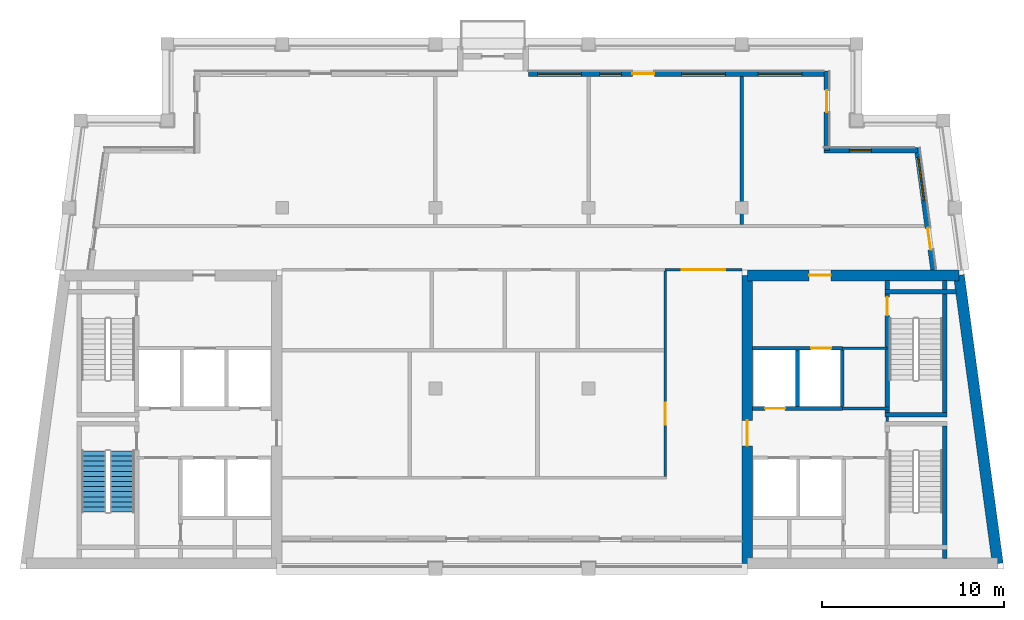
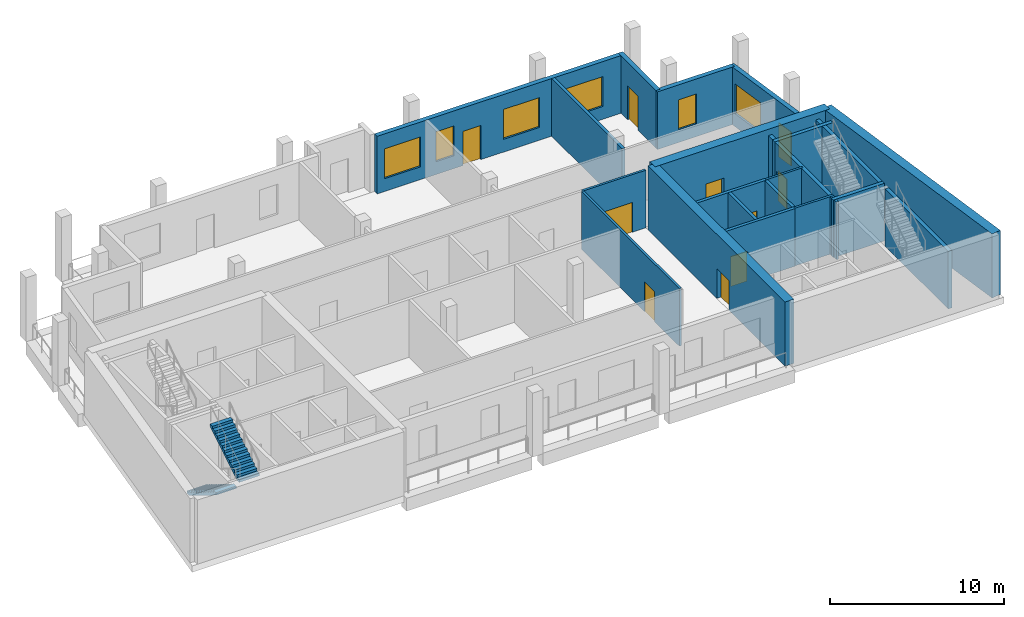
# One storey, part 4 of 8: 22 walls, 10 doors, 6 windows, 2 stair flights, 16 openings, 1 element without a shape of its own.
"""IFC4 building model written with IfcOpenShell, lengths in metres."""

from ifc_helpers import new_model, si_unit, direction, frame, frame_2d, origin, place, context, subcontext, project, spatial, polyline, rectangle, outline, extrude, material, layer, layer_set, type_object, element, fill, aggregate, save


model = new_model("IFC4")

# Units and contexts
model_context = context("Model", 3, precision=1e-05, world=origin(), true_north=direction((0.0, 1.0)))
body_context = subcontext(model_context, "Body", "Model", "MODEL_VIEW")
ifc_project = project(units=[si_unit("LENGTHUNIT", "METRE"), si_unit("AREAUNIT", "SQUARE_METRE"), si_unit("VOLUMEUNIT", "CUBIC_METRE"), si_unit("PLANEANGLEUNIT", "RADIAN"), si_unit("MASSUNIT", "GRAM", prefix="KILO")], contexts=[model_context])

# Site, building, storey
site_placement = place(None, origin())
site = spatial("IfcSite", under=ifc_project, at=site_placement, CompositionType="ELEMENT")
building_placement = place(site_placement, origin())
building = spatial("IfcBuilding", under=site, at=building_placement, Name="Candeia Pilgrim Tower and Theatre", CompositionType="ELEMENT")
storey_placement = place(building_placement, frame((0.0, 0.0, 315.39990234375)))
storey = spatial("IfcBuildingStorey", under=building, at=storey_placement, Name="L76", CompositionType="ELEMENT", Elevation=315.39990234375)

# Wall, opening, door
ifc_material_1 = material(Name="Concrete C40/50", Category="concrete")
ifc_layer_1 = layer(ifc_material_1, 0.60009765625)
ifc_layer_set_1 = layer_set([ifc_layer_1], Name="Core wall 600 C40/50")
wall_type_1 = type_object("IfcWallType", Name="Core wall 600 C40/50", PredefinedType="SHEAR", material=ifc_layer_set_1)
wall_1_placement = place(storey_placement, frame((126.300048828125, 132.10009765625, 0.0), z_axis=(0.0, 0.0, 1.0), x_axis=(1.0, 0.0, 0.0)))
wall_1 = element("IfcWall", 1, at=wall_1_placement, inside=storey, type_object=wall_type_1, Name="Core wall E1", PredefinedType="SHEAR", context=body_context, shape_type="SweptSolid", body=[
    extrude(rectangle(XDim=11.60693359375, YDim=0.60009765625, at=frame_2d((5.803466796875, 0.0))), origin(), (0.0, 0.0, 1.0), 4.5),
])
opening_1_placement = place(wall_1_placement, frame((3.386474609375, 0.0, 0.0)))
opening_1 = element("IfcOpeningElement", 2, at=opening_1_placement, cuts=wall_1, Name="Opening L76-D023", PredefinedType="OPENING", context=body_context, shape_type="SweptSolid", body=[
    extrude(rectangle(XDim=1.199951171875, YDim=2.10009765625, at=frame_2d((0.60009765625, 1.050048828125))), frame((0.0, 0.31005859375, 0.0), z_axis=(0.0, -1.0, 0.0), x_axis=(1.0, 0.0, 0.0)), (0.0, 0.0, 1.0), 0.6201171875),
])
ifc_material_2 = material(Name="Steel fire door set", Category="steel")
door_type_1 = type_object("IfcDoorType", Name="D-1200-FD60", OperationType="NOTDEFINED", PredefinedType="DOOR", material=ifc_material_2)
door_1_placement = place(opening_1_placement, origin())
door_1 = element("IfcDoor", 3, at=door_1_placement, inside=storey, type_object=door_type_1, Name="Door L76-D023", OperationType="SINGLE_SWING_RIGHT", OverallHeight=2.10009765625, OverallWidth=1.199951171875, PredefinedType="DOOR", context=body_context, shape_type="SweptSolid", body=[
    extrude(rectangle(XDim=1.199951171875, YDim=2.10009765625, at=frame_2d((0.60009765625, 1.050048828125))), frame((0.0, 0.02490234375, 0.0), z_axis=(0.0, -1.0, 0.0), x_axis=(1.0, 0.0, 0.0)), (0.0, 0.0, 1.0), 0.050048828125),
])
fill(opening_1, door_1)

# Wall
wall_2_placement = place(storey_placement, frame((137.906982421875, 132.10009765625, 0.0), z_axis=(0.0, 0.0, 1.0), x_axis=(0.13341345841, -0.991060466932, 0.0)))
element("IfcWall", 4, at=wall_2_placement, inside=storey, type_object=wall_type_1, Name="Core wall E2", PredefinedType="SHEAR", context=body_context, shape_type="SweptSolid", body=[
    extrude(rectangle(XDim=15.942626953125, YDim=0.60009765625, at=frame_2d((7.97119140625, 0.0))), origin(), (0.0, 0.0, 1.0), 4.5),
])

# Wall, opening, door
wall_3_placement = place(storey_placement, frame((126.300048828125, 116.300048828125, 0.0), z_axis=(0.0, 0.0, 1.0), x_axis=(0.0, 1.0, 0.0)))
wall_3 = element("IfcWall", 5, at=wall_3_placement, inside=storey, type_object=wall_type_1, Name="Core wall E4", PredefinedType="SHEAR", context=body_context, shape_type="SweptSolid", body=[
    extrude(rectangle(XDim=15.800048828125, YDim=0.60009765625, at=frame_2d((7.89990234375, 0.0))), origin(), (0.0, 0.0, 1.0), 4.5),
])
opening_2_placement = place(wall_3_placement, frame((6.449951171875, 0.0, 0.0)))
opening_2 = element("IfcOpeningElement", 6, at=opening_2_placement, cuts=wall_3, Name="Opening L76-D024", PredefinedType="OPENING", context=body_context, shape_type="SweptSolid", body=[
    extrude(rectangle(XDim=1.39990234375, YDim=2.10009765625, at=frame_2d((0.699951171875, 1.050048828125))), frame((0.0, 0.31005859375, 0.0), z_axis=(0.0, -1.0, 0.0), x_axis=(1.0, 0.0, 0.0)), (0.0, 0.0, 1.0), 0.6201171875),
])
door_type_2 = type_object("IfcDoorType", Name="D-1400-FD60", OperationType="NOTDEFINED", PredefinedType="DOOR", material=ifc_material_2)
door_2_placement = place(opening_2_placement, origin())
door_2 = element("IfcDoor", 7, at=door_2_placement, inside=storey, type_object=door_type_2, Name="Door L76-D024", OperationType="SINGLE_SWING_LEFT", OverallHeight=2.10009765625, OverallWidth=1.39990234375, PredefinedType="DOOR", context=body_context, shape_type="SweptSolid", body=[
    extrude(rectangle(XDim=1.39990234375, YDim=2.10009765625, at=frame_2d((0.699951171875, 1.050048828125))), frame((0.0, 0.02490234375, 0.0), z_axis=(0.0, -1.0, 0.0), x_axis=(1.0, 0.0, 0.0)), (0.0, 0.0, 1.0), 0.050048828125),
])
fill(opening_2, door_2)

# Wall, openings, door, window
ifc_material_3 = material(Name="Ceramic block masonry", Category="masonry")
ifc_layer_2 = layer(ifc_material_3, 0.300048828125)
ifc_layer_set_2 = layer_set([ifc_layer_2], Name="EW1 glazing-line wall 300")
wall_type_2 = type_object("IfcWallType", Name="EW1 glazing-line wall 300", PredefinedType="SOLIDWALL", material=ifc_layer_set_2)
wall_4_placement = place(storey_placement, frame((136.50439453125, 132.39990234375, 0.0), z_axis=(0.0, 0.0, 1.0), x_axis=(-0.133399697462, 0.99106231929, 0.0)))
wall_4 = element("IfcWall", 8, at=wall_4_placement, inside=storey, type_object=wall_type_2, Name="External wall L76-2.0", PredefinedType="SOLIDWALL", context=body_context, shape_type="SweptSolid", body=[
    extrude(rectangle(XDim=6.740478515625, YDim=0.300048828125, at=frame_2d((3.3701171875, 0.0))), origin(), (0.0, 0.0, 1.0), 4.050048828125),
])
opening_3_placement = place(wall_4_placement, frame((1.115234375, 0.0, 0.0)))
opening_3 = element("IfcOpeningElement", 9, at=opening_3_placement, cuts=wall_4, Name="Opening L76-ED696", PredefinedType="OPENING", context=body_context, shape_type="SweptSolid", body=[
    extrude(rectangle(XDim=1.199951171875, YDim=2.39990234375, at=frame_2d((0.60009765625, 1.199951171875))), frame((0.0, 0.16015625, 0.0), z_axis=(0.0, -1.0, 0.0), x_axis=(1.0, 0.0, 0.0)), (0.0, 0.0, 1.0), 0.320068359375),
])
opening_4_placement = place(wall_4_placement, frame((3.83544921875, 0.0, 0.89990234375)))
opening_4 = element("IfcOpeningElement", 10, at=opening_4_placement, cuts=wall_4, Name="Opening W-A", PredefinedType="OPENING", context=body_context, shape_type="SweptSolid", body=[
    extrude(rectangle(XDim=2.39990234375, YDim=2.10009765625, at=frame_2d((1.199951171875, 1.050048828125))), frame((0.0, 0.16015625, 0.0), z_axis=(0.0, -1.0, 0.0), x_axis=(1.0, 0.0, 0.0)), (0.0, 0.0, 1.0), 0.320068359375),
])
ifc_material_4 = material(Name="Aluminium framed glazed door", Category="aluminium")
door_type_3 = type_object("IfcDoorType", Name="Loggia door 1200x2400", OperationType="DOUBLE_DOOR_SINGLE_SWING", PredefinedType="DOOR", material=ifc_material_4)
door_3_placement = place(opening_3_placement, origin())
door_3 = element("IfcDoor", 11, at=door_3_placement, inside=storey, type_object=door_type_3, Name="Loggia door L76-ED696", OperationType="DOUBLE_DOOR_SINGLE_SWING", OverallHeight=2.39990234375, OverallWidth=1.199951171875, PredefinedType="DOOR", context=body_context, shape_type="SweptSolid", body=[
    extrude(rectangle(XDim=1.199951171875, YDim=2.39990234375, at=frame_2d((0.60009765625, 1.199951171875))), frame((0.0, 0.02490234375, 0.0), z_axis=(0.0, -1.0, 0.0), x_axis=(1.0, 0.0, 0.0)), (0.0, 0.0, 1.0), 0.050048828125),
])
fill(opening_3, door_3)
ifc_material_5 = material(Name="Aluminium framed double glazing", Category="aluminium")
window_type_1 = type_object("IfcWindowType", Name="W-A window 2400x2100", PartitioningType="DOUBLE_PANEL_VERTICAL", PredefinedType="WINDOW", material=ifc_material_5)
window_1_placement = place(opening_4_placement, origin())
window_1 = element("IfcWindow", 12, at=window_1_placement, inside=storey, type_object=window_type_1, Name="Window W-A L76", OverallHeight=2.10009765625, OverallWidth=2.39990234375, PartitioningType="SINGLE_PANEL", PredefinedType="WINDOW", context=body_context, shape_type="SweptSolid", body=[
    extrude(rectangle(XDim=2.39990234375, YDim=2.10009765625, at=frame_2d((1.199951171875, 1.050048828125))), frame((0.0, 0.030029296875, 0.0), z_axis=(0.0, -1.0, 0.0), x_axis=(1.0, 0.0, 0.0)), (0.0, 0.0, 1.0), 0.06005859375),
])
fill(opening_4, window_1)

# Wall, opening, window
wall_5_placement = place(storey_placement, frame((135.62255859375, 138.949951171875, 0.0), z_axis=(0.0, 0.0, 1.0), x_axis=(-1.0, 0.0, 0.0)))
wall_5 = element("IfcWall", 13, at=wall_5_placement, inside=storey, type_object=wall_type_2, Name="External wall L76-3.0", PredefinedType="SOLIDWALL", context=body_context, shape_type="SweptSolid", body=[
    extrude(rectangle(XDim=5.12255859375, YDim=0.300048828125, at=frame_2d((2.561279296875, 0.0))), origin(), (0.0, 0.0, 1.0), 4.050048828125),
])
opening_5_placement = place(wall_5_placement, frame((2.522705078125, 0.0, 0.89990234375)))
opening_5 = element("IfcOpeningElement", 14, at=opening_5_placement, cuts=wall_5, Name="Opening W-B", PredefinedType="OPENING", context=body_context, shape_type="SweptSolid", body=[
    extrude(rectangle(XDim=1.199951171875, YDim=2.10009765625, at=frame_2d((0.60009765625, 1.050048828125))), frame((0.0, 0.16015625, 0.0), z_axis=(0.0, -1.0, 0.0), x_axis=(1.0, 0.0, 0.0)), (0.0, 0.0, 1.0), 0.320068359375),
])
window_type_2 = type_object("IfcWindowType", Name="W-B window 1200x2100", PartitioningType="SINGLE_PANEL", PredefinedType="WINDOW", material=ifc_material_5)
window_2_placement = place(opening_5_placement, origin())
window_2 = element("IfcWindow", 15, at=window_2_placement, inside=storey, type_object=window_type_2, Name="Window W-B L76", OverallHeight=2.10009765625, OverallWidth=1.199951171875, PartitioningType="SINGLE_PANEL", PredefinedType="WINDOW", context=body_context, shape_type="SweptSolid", body=[
    extrude(rectangle(XDim=1.199951171875, YDim=2.10009765625, at=frame_2d((0.60009765625, 1.050048828125))), frame((0.0, 0.030029296875, 0.0), z_axis=(0.0, -1.0, 0.0), x_axis=(1.0, 0.0, 0.0)), (0.0, 0.0, 1.0), 0.06005859375),
])
fill(opening_5, window_2)

# Wall, opening, door
wall_6_placement = place(storey_placement, frame((130.64990234375, 138.949951171875, 0.0), z_axis=(0.0, 0.0, 1.0), x_axis=(0.0, 1.0, 0.0)))
wall_6 = element("IfcWall", 16, at=wall_6_placement, inside=storey, type_object=wall_type_2, Name="External wall L76-4.0", PredefinedType="SOLIDWALL", context=body_context, shape_type="SweptSolid", body=[
    extrude(rectangle(XDim=4.35009765625, YDim=0.300048828125, at=frame_2d((2.175048828125, 0.0))), origin(), (0.0, 0.0, 1.0), 4.050048828125),
])
opening_6_placement = place(wall_6_placement, frame((2.10009765625, 0.0, 0.0)))
opening_6 = element("IfcOpeningElement", 17, at=opening_6_placement, cuts=wall_6, Name="Opening L76-ED697", PredefinedType="OPENING", context=body_context, shape_type="SweptSolid", body=[
    extrude(rectangle(XDim=1.199951171875, YDim=2.39990234375, at=frame_2d((0.60009765625, 1.199951171875))), frame((0.0, 0.16015625, 0.0), z_axis=(0.0, -1.0, 0.0), x_axis=(1.0, 0.0, 0.0)), (0.0, 0.0, 1.0), 0.320068359375),
])
door_4_placement = place(opening_6_placement, origin())
door_4 = element("IfcDoor", 18, at=door_4_placement, inside=storey, type_object=door_type_3, Name="Loggia door L76-ED697", OperationType="DOUBLE_DOOR_SINGLE_SWING", OverallHeight=2.39990234375, OverallWidth=1.199951171875, PredefinedType="DOOR", context=body_context, shape_type="SweptSolid", body=[
    extrude(rectangle(XDim=1.199951171875, YDim=2.39990234375, at=frame_2d((0.60009765625, 1.199951171875))), frame((0.0, 0.02490234375, 0.0), z_axis=(0.0, -1.0, 0.0), x_axis=(1.0, 0.0, 0.0)), (0.0, 0.0, 1.0), 0.050048828125),
])
fill(opening_6, door_4)

# Wall, openings, door, windows
wall_7_placement = place(storey_placement, frame((130.64990234375, 143.14990234375, 0.0), z_axis=(0.0, 0.0, 1.0), x_axis=(-1.0, 0.0, 0.0)))
wall_7 = element("IfcWall", 19, at=wall_7_placement, inside=storey, type_object=wall_type_2, Name="External wall L76-5.0", PredefinedType="SOLIDWALL", context=body_context, shape_type="SweptSolid", body=[
    extrude(rectangle(XDim=16.349853515625, YDim=0.300048828125, at=frame_2d((8.1748046875, 0.0))), origin(), (0.0, 0.0, 1.0), 4.050048828125),
])
opening_7_placement = place(wall_7_placement, frame((1.35009765625, 0.0, 0.89990234375)))
opening_7 = element("IfcOpeningElement", 20, at=opening_7_placement, cuts=wall_7, Name="Opening W-A", PredefinedType="OPENING", context=body_context, shape_type="SweptSolid", body=[
    extrude(rectangle(XDim=2.39990234375, YDim=2.10009765625, at=frame_2d((1.199951171875, 1.050048828125))), frame((0.0, 0.16015625, 0.0), z_axis=(0.0, -1.0, 0.0), x_axis=(1.0, 0.0, 0.0)), (0.0, 0.0, 1.0), 0.320068359375),
])
opening_8_placement = place(wall_7_placement, frame((5.550048828125, 0.0, 0.89990234375)))
opening_8 = element("IfcOpeningElement", 21, at=opening_8_placement, cuts=wall_7, Name="Opening W-A", PredefinedType="OPENING", context=body_context, shape_type="SweptSolid", body=[
    extrude(rectangle(XDim=2.39990234375, YDim=2.10009765625, at=frame_2d((1.199951171875, 1.050048828125))), frame((0.0, 0.16015625, 0.0), z_axis=(0.0, -1.0, 0.0), x_axis=(1.0, 0.0, 0.0)), (0.0, 0.0, 1.0), 0.320068359375),
])
opening_9_placement = place(wall_7_placement, frame((9.449951171875, 0.0, 0.0)))
opening_9 = element("IfcOpeningElement", 22, at=opening_9_placement, cuts=wall_7, Name="Opening L76-ED698", PredefinedType="OPENING", context=body_context, shape_type="SweptSolid", body=[
    extrude(rectangle(XDim=1.199951171875, YDim=2.39990234375, at=frame_2d((0.60009765625, 1.199951171875))), frame((0.0, 0.16015625, 0.0), z_axis=(0.0, -1.0, 0.0), x_axis=(1.0, 0.0, 0.0)), (0.0, 0.0, 1.0), 0.320068359375),
])
opening_10_placement = place(wall_7_placement, frame((11.25, 0.0, 0.89990234375)))
opening_10 = element("IfcOpeningElement", 23, at=opening_10_placement, cuts=wall_7, Name="Opening W-B", PredefinedType="OPENING", context=body_context, shape_type="SweptSolid", body=[
    extrude(rectangle(XDim=1.199951171875, YDim=2.10009765625, at=frame_2d((0.60009765625, 1.050048828125))), frame((0.0, 0.16015625, 0.0), z_axis=(0.0, -1.0, 0.0), x_axis=(1.0, 0.0, 0.0)), (0.0, 0.0, 1.0), 0.320068359375),
])
opening_11_placement = place(wall_7_placement, frame((13.449951171875, 0.0, 0.89990234375)))
opening_11 = element("IfcOpeningElement", 24, at=opening_11_placement, cuts=wall_7, Name="Opening W-A", PredefinedType="OPENING", context=body_context, shape_type="SweptSolid", body=[
    extrude(rectangle(XDim=2.39990234375, YDim=2.10009765625, at=frame_2d((1.199951171875, 1.050048828125))), frame((0.0, 0.16015625, 0.0), z_axis=(0.0, -1.0, 0.0), x_axis=(1.0, 0.0, 0.0)), (0.0, 0.0, 1.0), 0.320068359375),
])
door_5_placement = place(opening_9_placement, origin())
door_5 = element("IfcDoor", 25, at=door_5_placement, inside=storey, type_object=door_type_3, Name="Loggia door L76-ED698", OperationType="DOUBLE_DOOR_SINGLE_SWING", OverallHeight=2.39990234375, OverallWidth=1.199951171875, PredefinedType="DOOR", context=body_context, shape_type="SweptSolid", body=[
    extrude(rectangle(XDim=1.199951171875, YDim=2.39990234375, at=frame_2d((0.60009765625, 1.199951171875))), frame((0.0, 0.02490234375, 0.0), z_axis=(0.0, -1.0, 0.0), x_axis=(1.0, 0.0, 0.0)), (0.0, 0.0, 1.0), 0.050048828125),
])
fill(opening_9, door_5)
window_3_placement = place(opening_7_placement, origin())
window_3 = element("IfcWindow", 26, at=window_3_placement, inside=storey, type_object=window_type_1, Name="Window W-A L76", OverallHeight=2.10009765625, OverallWidth=2.39990234375, PartitioningType="SINGLE_PANEL", PredefinedType="WINDOW", context=body_context, shape_type="SweptSolid", body=[
    extrude(rectangle(XDim=2.39990234375, YDim=2.10009765625, at=frame_2d((1.199951171875, 1.050048828125))), frame((0.0, 0.030029296875, 0.0), z_axis=(0.0, -1.0, 0.0), x_axis=(1.0, 0.0, 0.0)), (0.0, 0.0, 1.0), 0.06005859375),
])
fill(opening_7, window_3)
window_4_placement = place(opening_8_placement, origin())
window_4 = element("IfcWindow", 27, at=window_4_placement, inside=storey, type_object=window_type_1, Name="Window W-A L76", OverallHeight=2.10009765625, OverallWidth=2.39990234375, PartitioningType="SINGLE_PANEL", PredefinedType="WINDOW", context=body_context, shape_type="SweptSolid", body=[
    extrude(rectangle(XDim=2.39990234375, YDim=2.10009765625, at=frame_2d((1.199951171875, 1.050048828125))), frame((0.0, 0.030029296875, 0.0), z_axis=(0.0, -1.0, 0.0), x_axis=(1.0, 0.0, 0.0)), (0.0, 0.0, 1.0), 0.06005859375),
])
fill(opening_8, window_4)
window_5_placement = place(opening_11_placement, origin())
window_5 = element("IfcWindow", 28, at=window_5_placement, inside=storey, type_object=window_type_1, Name="Window W-A L76", OverallHeight=2.10009765625, OverallWidth=2.39990234375, PartitioningType="SINGLE_PANEL", PredefinedType="WINDOW", context=body_context, shape_type="SweptSolid", body=[
    extrude(rectangle(XDim=2.39990234375, YDim=2.10009765625, at=frame_2d((1.199951171875, 1.050048828125))), frame((0.0, 0.030029296875, 0.0), z_axis=(0.0, -1.0, 0.0), x_axis=(1.0, 0.0, 0.0)), (0.0, 0.0, 1.0), 0.06005859375),
])
fill(opening_11, window_5)
window_6_placement = place(opening_10_placement, origin())
window_6 = element("IfcWindow", 29, at=window_6_placement, inside=storey, type_object=window_type_2, Name="Window W-B L76", OverallHeight=2.10009765625, OverallWidth=1.199951171875, PartitioningType="SINGLE_PANEL", PredefinedType="WINDOW", context=body_context, shape_type="SweptSolid", body=[
    extrude(rectangle(XDim=1.199951171875, YDim=2.10009765625, at=frame_2d((0.60009765625, 1.050048828125))), frame((0.0, 0.030029296875, 0.0), z_axis=(0.0, -1.0, 0.0), x_axis=(1.0, 0.0, 0.0)), (0.0, 0.0, 1.0), 0.06005859375),
])
fill(opening_10, window_6)

# Walls
ifc_material_6 = material(Name="Gypsum board partition on steel studs", Category="steel")
ifc_layer_3 = layer(ifc_material_6, 0.14990234375)
ifc_layer_set_3 = layer_set([ifc_layer_3], Name="PW-150 lobby wall")
wall_type_3 = type_object("IfcWallType", Name="PW-150 lobby wall", PredefinedType="PARTITIONING", material=ifc_layer_set_3)
wall_8_placement = place(storey_placement, frame((131.515380859375, 124.800048828125, 0.0), z_axis=(0.0, 0.0, 1.0), x_axis=(1.0, 0.0, 0.0)))
element("IfcWall", 30, at=wall_8_placement, inside=storey, type_object=wall_type_3, Name="Lobby wall L76-020", PredefinedType="PARTITIONING", context=body_context, shape_type="SweptSolid", body=[
    extrude(rectangle(XDim=2.58251953125, YDim=0.14990234375, at=frame_2d((1.291259765625, 0.0))), origin(), (0.0, 0.0, 1.0), 4.050048828125),
])
wall_9_placement = place(storey_placement, frame((131.515380859375, 128.10009765625, 0.0), z_axis=(0.0, 0.0, 1.0), x_axis=(1.0, 0.0, 0.0)))
element("IfcWall", 31, at=wall_9_placement, inside=storey, type_object=wall_type_3, Name="Lobby wall L76-024", PredefinedType="PARTITIONING", context=body_context, shape_type="SweptSolid", body=[
    extrude(rectangle(XDim=2.45751953125, YDim=0.14990234375, at=frame_2d((1.228759765625, 0.0))), origin(), (0.0, 0.0, 1.0), 4.050048828125),
])

# Wall, opening, door
wall_10_placement = place(storey_placement, frame((121.800048828125, 132.39990234375, 0.0), z_axis=(0.0, 0.0, 1.0), x_axis=(1.0, 0.0, 0.0)))
wall_10 = element("IfcWall", 32, at=wall_10_placement, inside=storey, type_object=wall_type_3, Name="Lobby wall L76-027", PredefinedType="PARTITIONING", context=body_context, shape_type="SweptSolid", body=[
    extrude(rectangle(XDim=4.199951171875, YDim=0.14990234375, at=frame_2d((2.10009765625, 0.0))), origin(), (0.0, 0.0, 1.0), 4.050048828125),
])
opening_12_placement = place(wall_10_placement, frame((0.89990234375, 0.0, 0.0)))
opening_12 = element("IfcOpeningElement", 33, at=opening_12_placement, cuts=wall_10, Name="Opening L76-D001", PredefinedType="OPENING", context=body_context, shape_type="SweptSolid", body=[
    extrude(rectangle(XDim=2.39990234375, YDim=2.10009765625, at=frame_2d((1.199951171875, 1.050048828125))), frame((0.0, 0.0849609375, 0.0), z_axis=(0.0, -1.0, 0.0), x_axis=(1.0, 0.0, 0.0)), (0.0, 0.0, 1.0), 0.169921875),
])
door_type_4 = type_object("IfcDoorType", Name="D-2400-FD30S", OperationType="NOTDEFINED", PredefinedType="DOOR", material=ifc_material_2)
door_6_placement = place(opening_12_placement, origin())
door_6 = element("IfcDoor", 34, at=door_6_placement, inside=storey, type_object=door_type_4, Name="Door L76-D001", OperationType="SINGLE_SWING_LEFT", OverallHeight=2.10009765625, OverallWidth=2.39990234375, PredefinedType="DOOR", context=body_context, shape_type="SweptSolid", body=[
    extrude(rectangle(XDim=2.39990234375, YDim=2.10009765625, at=frame_2d((1.199951171875, 1.050048828125))), frame((0.0, 0.02490234375, 0.0), z_axis=(0.0, -1.0, 0.0), x_axis=(1.0, 0.0, 0.0)), (0.0, 0.0, 1.0), 0.050048828125),
])
fill(opening_12, door_6)

wall_11_placement = place(storey_placement, frame((121.800048828125, 121.074951171875, 0.0), z_axis=(0.0, 0.0, 1.0), x_axis=(0.0, 1.0, 0.0)))
wall_11 = element("IfcWall", 35, at=wall_11_placement, inside=storey, type_object=wall_type_3, Name="Lobby wall L76-047", PredefinedType="PARTITIONING", context=body_context, shape_type="SweptSolid", body=[
    extrude(rectangle(XDim=11.25, YDim=0.14990234375, at=frame_2d((5.625, 0.0))), origin(), (0.0, 0.0, 1.0), 4.050048828125),
])
opening_13_placement = place(wall_11_placement, frame((2.824951171875, 0.0, 0.0)))
opening_13 = element("IfcOpeningElement", 36, at=opening_13_placement, cuts=wall_11, Name="Opening L76-D004", PredefinedType="OPENING", context=body_context, shape_type="SweptSolid", body=[
    extrude(rectangle(XDim=1.199951171875, YDim=2.10009765625, at=frame_2d((0.60009765625, 1.050048828125))), frame((0.0, 0.0849609375, 0.0), z_axis=(0.0, -1.0, 0.0), x_axis=(1.0, 0.0, 0.0)), (0.0, 0.0, 1.0), 0.169921875),
])
door_7_placement = place(opening_13_placement, origin())
door_7 = element("IfcDoor", 37, at=door_7_placement, inside=storey, type_object=door_type_1, Name="Door L76-D004", OperationType="SINGLE_SWING_RIGHT", OverallHeight=2.10009765625, OverallWidth=1.199951171875, PredefinedType="DOOR", context=body_context, shape_type="SweptSolid", body=[
    extrude(rectangle(XDim=1.199951171875, YDim=2.10009765625, at=frame_2d((0.60009765625, 1.050048828125))), frame((0.0, 0.02490234375, 0.0), z_axis=(0.0, -1.0, 0.0), x_axis=(1.0, 0.0, 0.0)), (0.0, 0.0, 1.0), 0.050048828125),
])
fill(opening_13, door_7)

# Walls
wall_12_placement = place(storey_placement, frame((133.972900390625, 124.074951171875, 0.0), z_axis=(0.0, 0.0, 1.0), x_axis=(0.0, 1.0, 0.0)))
element("IfcWall", 38, at=wall_12_placement, inside=storey, type_object=wall_type_3, Name="Lobby wall L76-054", PredefinedType="PARTITIONING", context=body_context, shape_type="SweptSolid", body=[
    extrude(rectangle(XDim=0.25, YDim=0.14990234375, at=frame_2d((0.125, 0.0))), origin(), (0.0, 0.0, 1.0), 4.050048828125),
])
ifc_layer_4 = layer(ifc_material_6, 0.199951171875)
ifc_layer_set_4 = layer_set([ifc_layer_4], Name="PW-200 party wall")
wall_type_4 = type_object("IfcWallType", Name="PW-200 party wall", PredefinedType="PARTITIONING", material=ifc_layer_set_4)
wall_13_placement = place(storey_placement, frame((126.0, 134.875, 0.0), z_axis=(0.0, 0.0, 1.0), x_axis=(0.0, 1.0, 0.0)))
element("IfcWall", 39, at=wall_13_placement, inside=storey, type_object=wall_type_4, Name="Party wall L76-048", PredefinedType="PARTITIONING", context=body_context, shape_type="SweptSolid", body=[
    extrude(rectangle(XDim=8.135009765625, YDim=0.199951171875, at=frame_2d((4.0673828125, 0.0))), origin(), (0.0, 0.0, 1.0), 4.050048828125),
])

# Wall, opening, door
ifc_layer_5 = layer(ifc_material_1, 0.199951171875)
ifc_layer_set_5 = layer_set([ifc_layer_5], Name="SW-200 shaft wall")
wall_type_5 = type_object("IfcWallType", Name="SW-200 shaft wall", PredefinedType="PARTITIONING", material=ifc_layer_set_5)
wall_14_placement = place(storey_placement, frame((126.60009765625, 124.800048828125, 0.0), z_axis=(0.0, 0.0, 1.0), x_axis=(1.0, 0.0, 0.0)))
wall_14 = element("IfcWall", 40, at=wall_14_placement, inside=storey, type_object=wall_type_5, Name="Shaft wall L76-019", PredefinedType="PARTITIONING", context=body_context, shape_type="SweptSolid", body=[
    extrude(rectangle(XDim=4.915283203125, YDim=0.199951171875, at=frame_2d((2.45751953125, 0.0))), origin(), (0.0, 0.0, 1.0), 4.050048828125),
])
opening_14_placement = place(wall_14_placement, frame((0.678955078125, 0.0, 0.0)))
opening_14 = element("IfcOpeningElement", 41, at=opening_14_placement, cuts=wall_14, Name="Opening L76-LD09", PredefinedType="OPENING", context=body_context, shape_type="SweptSolid", body=[
    extrude(rectangle(XDim=1.10009765625, YDim=2.10009765625, at=frame_2d((0.550048828125, 1.050048828125))), frame((0.0, 0.10986328125, 0.0), z_axis=(0.0, -1.0, 0.0), x_axis=(1.0, 0.0, 0.0)), (0.0, 0.0, 1.0), 0.219970703125),
])
ifc_material_7 = material(Name="Glazed aluminium landing door", Category="aluminium")
door_type_5 = type_object("IfcDoorType", Name="LD-1100-EI120", OperationType="SLIDING_TO_LEFT", PredefinedType="DOOR", material=ifc_material_7)
door_8_placement = place(opening_14_placement, origin())
door_8 = element("IfcDoor", 42, at=door_8_placement, inside=storey, type_object=door_type_5, Name="Landing door 09 L76", OperationType="SLIDING_TO_LEFT", OverallHeight=2.10009765625, OverallWidth=1.10009765625, PredefinedType="DOOR", context=body_context, shape_type="SweptSolid", body=[
    extrude(rectangle(XDim=1.10009765625, YDim=2.10009765625, at=frame_2d((0.550048828125, 1.050048828125))), frame((0.0, 0.02490234375, 0.0), z_axis=(0.0, -1.0, 0.0), x_axis=(1.0, 0.0, 0.0)), (0.0, 0.0, 1.0), 0.050048828125),
])
fill(opening_14, door_8)

wall_15_placement = place(storey_placement, frame((126.60009765625, 128.10009765625, 0.0), z_axis=(0.0, 0.0, 1.0), x_axis=(1.0, 0.0, 0.0)))
wall_15 = element("IfcWall", 43, at=wall_15_placement, inside=storey, type_object=wall_type_5, Name="Shaft wall L76-023", PredefinedType="PARTITIONING", context=body_context, shape_type="SweptSolid", body=[
    extrude(rectangle(XDim=4.915283203125, YDim=0.199951171875, at=frame_2d((2.45751953125, 0.0))), origin(), (0.0, 0.0, 1.0), 4.050048828125),
])
opening_15_placement = place(wall_15_placement, frame((3.201904296875, 0.0, 0.0)))
opening_15 = element("IfcOpeningElement", 44, at=opening_15_placement, cuts=wall_15, Name="Opening L76-LD08", PredefinedType="OPENING", context=body_context, shape_type="SweptSolid", body=[
    extrude(rectangle(XDim=1.10009765625, YDim=2.10009765625, at=frame_2d((0.550048828125, 1.050048828125))), frame((0.0, 0.10986328125, 0.0), z_axis=(0.0, -1.0, 0.0), x_axis=(1.0, 0.0, 0.0)), (0.0, 0.0, 1.0), 0.219970703125),
])
door_9_placement = place(opening_15_placement, origin())
door_9 = element("IfcDoor", 45, at=door_9_placement, inside=storey, type_object=door_type_5, Name="Landing door 08 L76", OperationType="SLIDING_TO_LEFT", OverallHeight=2.10009765625, OverallWidth=1.10009765625, PredefinedType="DOOR", context=body_context, shape_type="SweptSolid", body=[
    extrude(rectangle(XDim=1.10009765625, YDim=2.10009765625, at=frame_2d((0.550048828125, 1.050048828125))), frame((0.0, 0.02490234375, 0.0), z_axis=(0.0, -1.0, 0.0), x_axis=(1.0, 0.0, 0.0)), (0.0, 0.0, 1.0), 0.050048828125),
])
fill(opening_15, door_9)

# Walls
for number, where, z_axis, x_axis, name in (
    (46, (129.0576171875, 124.89990234375, 0.0), (0.0, 0.0, 1.0), (0.0, 1.0, 0.0), "Shaft wall L76-050"),
    (47, (131.515380859375, 124.89990234375, 0.0), (0.0, 0.0, 1.0), (0.0, 1.0, 0.0), "Shaft wall L76-052"),
):
    element("IfcWall", number, at=place(storey_placement, frame(where, z_axis=z_axis, x_axis=x_axis)), inside=storey, type_object=wall_type_5, Name=name, PredefinedType="PARTITIONING", context=body_context, shape_type="SweptSolid", body=[
        extrude(rectangle(XDim=3.10009765625, YDim=0.199951171875, at=frame_2d((1.550048828125, 0.0))), origin(), (0.0, 0.0, 1.0), 4.050048828125),
    ])
ifc_layer_6 = layer(ifc_material_1, 0.25)
ifc_layer_set_6 = layer_set([ifc_layer_6], Name="SW-250 stair wall")
wall_type_6 = type_object("IfcWallType", Name="SW-250 stair wall", PredefinedType="PARTITIONING", material=ifc_layer_set_6)
wall_16_placement = place(storey_placement, frame((133.847900390625, 124.449951171875, 0.0), z_axis=(0.0, 0.0, 1.0), x_axis=(1.0, 0.0, 0.0)))
element("IfcWall", 48, at=wall_16_placement, inside=storey, type_object=wall_type_6, Name="Stair wall L76-017", PredefinedType="PARTITIONING", context=body_context, shape_type="SweptSolid", body=[
    extrude(rectangle(XDim=3.400146484375, YDim=0.25, at=frame_2d((1.7001953125, 0.0))), origin(), (0.0, 0.0, 1.0), 4.050048828125),
])
wall_17_placement = place(storey_placement, frame((133.847900390625, 131.199951171875, 0.0), z_axis=(0.0, 0.0, 1.0), x_axis=(1.0, 0.0, 0.0)))
element("IfcWall", 49, at=wall_17_placement, inside=storey, type_object=wall_type_6, Name="Stair wall L76-026", PredefinedType="PARTITIONING", context=body_context, shape_type="SweptSolid", body=[
    extrude(rectangle(XDim=3.907470703125, YDim=0.25, at=frame_2d((1.95361328125, 0.0))), origin(), (0.0, 0.0, 1.0), 4.050048828125),
])

# Wall, opening, door
wall_18_placement = place(storey_placement, frame((133.972900390625, 124.574951171875, 0.0), z_axis=(0.0, 0.0, 1.0), x_axis=(0.0, 1.0, 0.0)))
wall_18 = element("IfcWall", 50, at=wall_18_placement, inside=storey, type_object=wall_type_6, Name="Stair wall L76-056", PredefinedType="PARTITIONING", context=body_context, shape_type="SweptSolid", body=[
    extrude(rectangle(XDim=7.255126953125, YDim=0.25, at=frame_2d((3.62744140625, 0.0))), origin(), (0.0, 0.0, 1.0), 4.050048828125),
])
opening_16_placement = place(wall_18_placement, frame((5.324951171875, 0.0, 0.0)))
opening_16 = element("IfcOpeningElement", 51, at=opening_16_placement, cuts=wall_18, Name="Opening L76-D019", PredefinedType="OPENING", context=body_context, shape_type="SweptSolid", body=[
    extrude(rectangle(XDim=1.0, YDim=2.10009765625, at=frame_2d((0.5, 1.050048828125))), frame((0.0, 0.135009765625, 0.0), z_axis=(0.0, -1.0, 0.0), x_axis=(1.0, 0.0, 0.0)), (0.0, 0.0, 1.0), 0.27001953125),
])
door_type_6 = type_object("IfcDoorType", Name="D-1000-FD60", OperationType="NOTDEFINED", PredefinedType="DOOR", material=ifc_material_2)
door_10_placement = place(opening_16_placement, origin())
door_10 = element("IfcDoor", 52, at=door_10_placement, inside=storey, type_object=door_type_6, Name="Door L76-D019", OperationType="SINGLE_SWING_RIGHT", OverallHeight=2.10009765625, OverallWidth=1.0, PredefinedType="DOOR", context=body_context, shape_type="SweptSolid", body=[
    extrude(rectangle(XDim=1.0, YDim=2.10009765625, at=frame_2d((0.5, 1.050048828125))), frame((0.0, 0.02490234375, 0.0), z_axis=(0.0, -1.0, 0.0), x_axis=(1.0, 0.0, 0.0)), (0.0, 0.0, 1.0), 0.050048828125),
])
fill(opening_16, door_10)

# Walls
wall_19_placement = place(storey_placement, frame((137.123046875, 116.570068359375, 0.0), z_axis=(0.0, 0.0, 1.0), x_axis=(0.0, 1.0, 0.0)))
element("IfcWall", 53, at=wall_19_placement, inside=storey, type_object=wall_type_6, Name="Stair wall L76-057", PredefinedType="PARTITIONING", context=body_context, shape_type="SweptSolid", body=[
    extrude(rectangle(XDim=7.2548828125, YDim=0.25, at=frame_2d((3.62744140625, 0.0))), origin(), (0.0, 0.0, 1.0), 4.050048828125),
])
wall_20_placement = place(storey_placement, frame((137.123046875, 124.574951171875, 0.0), z_axis=(0.0, 0.0, 1.0), x_axis=(0.0, 1.0, 0.0)))
element("IfcWall", 54, at=wall_20_placement, inside=storey, type_object=wall_type_6, Name="Stair wall L76-058", PredefinedType="PARTITIONING", context=body_context, shape_type="SweptSolid", body=[
    extrude(rectangle(XDim=7.255126953125, YDim=0.25, at=frame_2d((3.62744140625, 0.0))), origin(), (0.0, 0.0, 1.0), 4.050048828125),
])

# Stair, stair flights
stair_type = type_object("IfcStairType", Name="ST-TWR dog-leg escape stair", PredefinedType="HALF_TURN_STAIR", material=ifc_material_1)
stair_placement = place(storey_placement, origin())
stair = element("IfcStair", 55, at=stair_placement, inside=storey, type_object=stair_type, Name="L76 Escape stair ST1", PredefinedType="HALF_TURN_STAIR")
stair_flight_type = type_object("IfcStairFlightType", Name="SFL-RC stair flight", PredefinedType="STRAIGHT", material=ifc_material_1)
stair_flight_1_placement = place(storey_placement, frame((90.47705078125, 122.47509765625, 0.0), z_axis=(0.0, 0.0, 1.0), x_axis=(0.0, -1.0, 0.0)))
stair_flight_1 = element("IfcStairFlight", 56, at=stair_flight_1_placement, type_object=stair_flight_type, Name="ST1 flight 1", NumberOfRisers=13, NumberOfTreads=12, PredefinedType="STRAIGHT", RiserHeight=0.173076923, TreadLength=0.28, context=body_context, shape_type="SweptSolid", body=[
    extrude(outline(polyline([(0.0, 0.0), (0.0, 0.173095703125), (0.280029296875, 0.173095703125), (0.280029296875, 0.34619140625), (0.56005859375, 0.34619140625), (0.56005859375, 0.519287109375), (0.840087890625, 0.519287109375), (0.840087890625, 0.6923828125), (1.1201171875, 0.6923828125), (1.1201171875, 0.865478515625), (1.39990234375, 0.865478515625), (1.39990234375, 1.03857421875), (1.679931640625, 1.03857421875), (1.679931640625, 1.21142578125), (1.9599609375, 1.21142578125), (1.9599609375, 1.384521484375), (2.239990234375, 1.384521484375), (2.239990234375, 1.5576171875), (2.52001953125, 1.5576171875), (2.52001953125, 1.730712890625), (2.800048828125, 1.730712890625), (2.800048828125, 1.90380859375), (3.080078125, 1.90380859375), (3.080078125, 2.076904296875), (3.360107421875, 2.076904296875), (3.360107421875, 2.25), (3.360107421875, 1.900634765625), (0.28515625, 0.0), (0.0, 0.0)])), frame((0.0, 0.675048828125, 0.0), z_axis=(0.0, -1.0, 0.0), x_axis=(1.0, 0.0, 0.0)), (0.0, 0.0, 1.0), 1.35009765625),
])
stair_flight_2_placement = place(storey_placement, frame((92.027099609375, 119.114990234375, 2.25), z_axis=(0.0, 0.0, 1.0), x_axis=(0.0, 1.0, 0.0)))
stair_flight_2 = element("IfcStairFlight", 57, at=stair_flight_2_placement, type_object=stair_flight_type, Name="ST1 flight 2", NumberOfRisers=13, NumberOfTreads=12, PredefinedType="STRAIGHT", RiserHeight=0.173076923, TreadLength=0.28, context=body_context, shape_type="SweptSolid", body=[
    extrude(outline(polyline([(0.0, 0.0), (0.0, 0.173095703125), (0.280029296875, 0.173095703125), (0.280029296875, 0.34619140625), (0.56005859375, 0.34619140625), (0.56005859375, 0.519287109375), (0.840087890625, 0.519287109375), (0.840087890625, 0.6923828125), (1.1201171875, 0.6923828125), (1.1201171875, 0.865478515625), (1.39990234375, 0.865478515625), (1.39990234375, 1.03857421875), (1.679931640625, 1.03857421875), (1.679931640625, 1.21142578125), (1.9599609375, 1.21142578125), (1.9599609375, 1.384521484375), (2.239990234375, 1.384521484375), (2.239990234375, 1.5576171875), (2.52001953125, 1.5576171875), (2.52001953125, 1.730712890625), (2.800048828125, 1.730712890625), (2.800048828125, 1.90380859375), (3.080078125, 1.90380859375), (3.080078125, 2.076904296875), (3.360107421875, 2.076904296875), (3.360107421875, 2.25), (3.360107421875, 1.900634765625), (0.28515625, 0.0), (0.0, 0.0)])), frame((0.0, 0.675048828125, 0.0), z_axis=(0.0, -1.0, 0.0), x_axis=(1.0, 0.0, 0.0)), (0.0, 0.0, 1.0), 1.35009765625),
])
aggregate(stair, [stair_flight_1, stair_flight_2])

save(model, "model.ifc")
